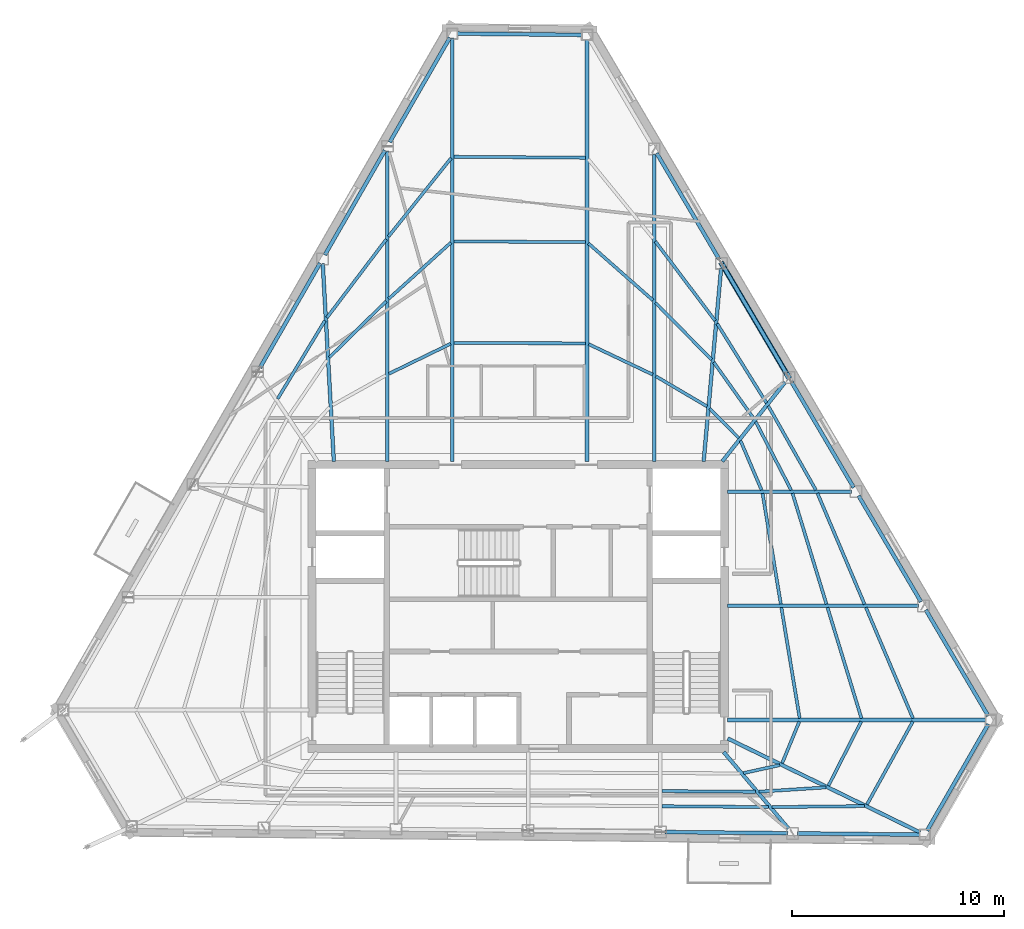
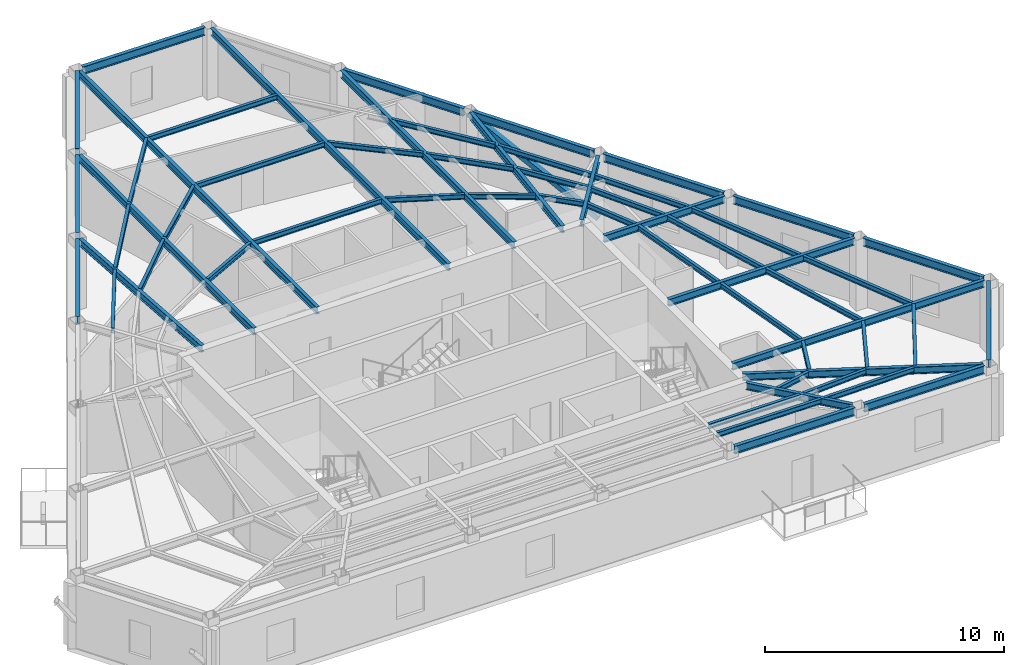
# One storey, part 2 of 11: 58 beams, 1 member.
"""IFC4 building model written with IfcOpenShell, lengths in metres."""

from ifc_helpers import new_model, si_unit, direction, frame, origin, origin_2d, place, context, subcontext, project, spatial, hollow_rectangle, i_section, extrude, material, material_profile, profile_set, type_object, element, save


model = new_model("IFC4")

# Units and contexts
model_context = context("Model", 3, precision=1e-05, world=origin(), true_north=direction((0.0, 1.0)))
body_context = subcontext(model_context, "Body", "Model", "MODEL_VIEW")
ifc_project = project(units=[si_unit("LENGTHUNIT", "METRE"), si_unit("AREAUNIT", "SQUARE_METRE"), si_unit("VOLUMEUNIT", "CUBIC_METRE"), si_unit("PLANEANGLEUNIT", "RADIAN"), si_unit("MASSUNIT", "GRAM", prefix="KILO")], contexts=[model_context])

# Site, building, storey
site_placement = place(None, origin())
site = spatial("IfcSite", under=ifc_project, at=site_placement, CompositionType="ELEMENT")
building_placement = place(site_placement, origin())
building = spatial("IfcBuilding", under=site, at=building_placement, Name="Kavelnor Concourse Tower", CompositionType="ELEMENT")
storey_placement = place(building_placement, frame((0.0, 0.0, 262.60009765625)))
storey = spatial("IfcBuildingStorey", under=building, at=storey_placement, Name="L66", CompositionType="ELEMENT", Elevation=262.60009765625)

# Beams
ifc_material = material(Name="Steel Grade 350", Category="steel")
ifc_material_profile_1 = material_profile(ifc_material, i_section(OverallWidth=0.14599609375, OverallDepth=0.256103515625, WebThickness=0.00634765625, FlangeThickness=0.010986328125, at=origin_2d()), Name="250UB37")
ifc_profile_set_1 = profile_set([ifc_material_profile_1], Name="Steel Grade 350")
beam_type_1 = type_object("IfcBeamType", Name="BM-JOIST-250", PredefinedType="JOIST", material=ifc_profile_set_1)
beam_1_placement = place(storey_placement, frame((44.77392578125, 7.41162109375, 3.48193359375), z_axis=(0.999973252056, -0.007314039412, 0.0), x_axis=(0.007314039412, 0.999973252056, 0.0)))
element("IfcBeam", 1, at=beam_1_placement, inside=storey, type_object=beam_type_1, Name="L66 Secondary Composite Joist 06-2", PredefinedType="JOIST", context=body_context, shape_type="SweptSolid", body=[
    extrude(i_section(OverallWidth=0.14599609375, OverallDepth=0.256103515625, WebThickness=0.00634765625, FlangeThickness=0.010986328125, at=origin_2d()), origin(), (0.0, 0.0, 1.0), 4.406005859375),
])
beam_2_placement = place(storey_placement, frame((44.77392578125, 6.70068359375, 3.48193359375), z_axis=(0.999966562096, -0.00817769471, 0.0), x_axis=(0.00817769471, 0.999966562096, 0.0)))
element("IfcBeam", 2, at=beam_2_placement, inside=storey, type_object=beam_type_1, Name="L66 Secondary Composite Joist 06-3", PredefinedType="JOIST", context=body_context, shape_type="SweptSolid", body=[
    extrude(i_section(OverallWidth=0.14599609375, OverallDepth=0.256103515625, WebThickness=0.00634765625, FlangeThickness=0.010986328125, at=origin_2d()), origin(), (0.0, 0.0, 1.0), 5.015625),
])
beam_3_placement = place(storey_placement, frame((48.61083984375, 8.26025390625, 3.48193359375), z_axis=(0.976738641907, 0.214433265621, 0.0), x_axis=(-0.214433265621, 0.976738641907, 0.0)))
element("IfcBeam", 3, at=beam_3_placement, inside=storey, type_object=beam_type_1, Name="L66 Secondary Composite Joist 07-1", PredefinedType="JOIST", context=body_context, shape_type="SweptSolid", body=[
    extrude(i_section(OverallWidth=0.14599609375, OverallDepth=0.256103515625, WebThickness=0.00634765625, FlangeThickness=0.010986328125, at=origin_2d()), origin(), (0.0, 0.0, 1.0), 1.75),
])
beam_4_placement = place(storey_placement, frame((49.34375, 7.384033203125, 3.48193359375), z_axis=(0.997954716893, 0.063924823277, 0.0), x_axis=(-0.063924823277, 0.997954716893, 0.0)))
element("IfcBeam", 4, at=beam_4_placement, inside=storey, type_object=beam_type_1, Name="L66 Secondary Composite Joist 07-2", PredefinedType="JOIST", context=body_context, shape_type="SweptSolid", body=[
    extrude(i_section(OverallWidth=0.14599609375, OverallDepth=0.256103515625, WebThickness=0.00634765625, FlangeThickness=0.010986328125, at=origin_2d()), origin(), (0.0, 0.0, 1.0), 3.154541015625),
])
beam_5_placement = place(storey_placement, frame((49.953369140625, 6.659912109375, 3.48193359375), z_axis=(0.999946678574, 0.010326664919, 0.0), x_axis=(-0.010326664919, 0.999946678574, 0.0)))
element("IfcBeam", 5, at=beam_5_placement, inside=storey, type_object=beam_type_1, Name="L66 Secondary Composite Joist 07-3", PredefinedType="JOIST", context=body_context, shape_type="SweptSolid", body=[
    extrude(i_section(OverallWidth=0.14599609375, OverallDepth=0.256103515625, WebThickness=0.00634765625, FlangeThickness=0.010986328125, at=origin_2d()), origin(), (0.0, 0.0, 1.0), 4.35009765625),
])
beam_6_placement = place(storey_placement, frame((50.431396484375, 8.728759765625, 3.48193359375), z_axis=(0.380958694144, 0.924592057805, 0.0), x_axis=(-0.924592057805, 0.380958694144, 0.0)))
element("IfcBeam", 6, at=beam_6_placement, inside=storey, type_object=beam_type_1, Name="L66 Secondary Composite Joist 08-1", PredefinedType="JOIST", context=body_context, shape_type="SweptSolid", body=[
    extrude(i_section(OverallWidth=0.14599609375, OverallDepth=0.256103515625, WebThickness=0.00634765625, FlangeThickness=0.010986328125, at=origin_2d()), origin(), (0.0, 0.0, 1.0), 2.1162109375),
])
beam_7_placement = place(storey_placement, frame((52.611083984375, 7.663818359375, 3.48193359375), z_axis=(0.454362037315, 0.890817118744, 0.0), x_axis=(-0.890817118744, 0.454362037315, 0.0)))
element("IfcBeam", 7, at=beam_7_placement, inside=storey, type_object=beam_type_1, Name="L66 Secondary Composite Joist 08-2", PredefinedType="JOIST", context=body_context, shape_type="SweptSolid", body=[
    extrude(i_section(OverallWidth=0.14599609375, OverallDepth=0.256103515625, WebThickness=0.00634765625, FlangeThickness=0.010986328125, at=origin_2d()), origin(), (0.0, 0.0, 1.0), 3.394775390625),
])
beam_8_placement = place(storey_placement, frame((54.4248046875, 6.77734375, 3.48193359375), z_axis=(0.48361012515, 0.875283523695, 0.0), x_axis=(-0.875283523695, 0.48361012515, 0.0)))
element("IfcBeam", 8, at=beam_8_placement, inside=storey, type_object=beam_type_1, Name="L66 Secondary Composite Joist 08-3", PredefinedType="JOIST", context=body_context, shape_type="SweptSolid", body=[
    extrude(i_section(OverallWidth=0.14599609375, OverallDepth=0.256103515625, WebThickness=0.00634765625, FlangeThickness=0.010986328125, at=origin_2d()), origin(), (0.0, 0.0, 1.0), 4.46923828125),
])
beam_9_placement = place(storey_placement, frame((51.255615234375, 10.841796875, 3.48193359375), z_axis=(-0.162803952091, 0.986658437953, 0.0), x_axis=(-0.986658437953, -0.162803952091, 0.0)))
element("IfcBeam", 9, at=beam_9_placement, inside=storey, type_object=beam_type_1, Name="L66 Secondary Composite Joist 09-1", PredefinedType="JOIST", context=body_context, shape_type="SweptSolid", body=[
    extrude(i_section(OverallWidth=0.14599609375, OverallDepth=0.256103515625, WebThickness=0.00634765625, FlangeThickness=0.010986328125, at=origin_2d()), origin(), (0.0, 0.0, 1.0), 5.28759765625),
])
beam_10_placement = place(storey_placement, frame((54.166748046875, 10.83935546875, 3.48193359375), z_axis=(-0.292973669642, 0.95612050961, 0.0), x_axis=(-0.95612050961, -0.292973669642, 0.0)))
element("IfcBeam", 10, at=beam_10_placement, inside=storey, type_object=beam_type_1, Name="L66 Secondary Composite Joist 09-2", PredefinedType="JOIST", context=body_context, shape_type="SweptSolid", body=[
    extrude(i_section(OverallWidth=0.14599609375, OverallDepth=0.256103515625, WebThickness=0.00634765625, FlangeThickness=0.010986328125, at=origin_2d()), origin(), (0.0, 0.0, 1.0), 5.461669921875),
])
beam_11_placement = place(storey_placement, frame((56.59375, 10.83642578125, 3.48193359375), z_axis=(-0.390611672, 0.920555550577, 0.0), x_axis=(-0.920555550577, -0.390611672, 0.0)))
element("IfcBeam", 11, at=beam_11_placement, inside=storey, type_object=beam_type_1, Name="L66 Secondary Composite Joist 09-3", PredefinedType="JOIST", context=body_context, shape_type="SweptSolid", body=[
    extrude(i_section(OverallWidth=0.14599609375, OverallDepth=0.256103515625, WebThickness=0.00634765625, FlangeThickness=0.010986328125, at=origin_2d()), origin(), (0.0, 0.0, 1.0), 5.678955078125),
])
beam_12_placement = place(storey_placement, frame((50.3681640625, 16.220703125, 3.48193359375), z_axis=(-0.162803952091, 0.986658437953, 0.0), x_axis=(-0.986658437953, -0.162803952091, 0.0)))
element("IfcBeam", 12, at=beam_12_placement, inside=storey, type_object=beam_type_1, Name="L66 Secondary Composite Joist 10-1", PredefinedType="JOIST", context=body_context, shape_type="SweptSolid", body=[
    extrude(i_section(OverallWidth=0.14599609375, OverallDepth=0.256103515625, WebThickness=0.00634765625, FlangeThickness=0.010986328125, at=origin_2d()), origin(), (0.0, 0.0, 1.0), 5.28759765625),
])
beam_13_placement = place(storey_placement, frame((52.5185546875, 16.21826171875, 3.48193359375), z_axis=(-0.292973669642, 0.95612050961, 0.0), x_axis=(-0.95612050961, -0.292973669642, 0.0)))
element("IfcBeam", 13, at=beam_13_placement, inside=storey, type_object=beam_type_1, Name="L66 Secondary Composite Joist 10-2", PredefinedType="JOIST", context=body_context, shape_type="SweptSolid", body=[
    extrude(i_section(OverallWidth=0.14599609375, OverallDepth=0.256103515625, WebThickness=0.00634765625, FlangeThickness=0.010986328125, at=origin_2d()), origin(), (0.0, 0.0, 1.0), 5.461669921875),
])
beam_14_placement = place(storey_placement, frame((54.3115234375, 16.21533203125, 3.48193359375), z_axis=(-0.390575239966, 0.920571008628, 0.0), x_axis=(-0.920571008628, -0.390575239966, 0.0)))
element("IfcBeam", 14, at=beam_14_placement, inside=storey, type_object=beam_type_1, Name="L66 Secondary Composite Joist 10-3", PredefinedType="JOIST", context=body_context, shape_type="SweptSolid", body=[
    extrude(i_section(OverallWidth=0.14599609375, OverallDepth=0.256103515625, WebThickness=0.00634765625, FlangeThickness=0.010986328125, at=origin_2d()), origin(), (0.0, 0.0, 1.0), 5.678955078125),
])
beam_15_placement = place(storey_placement, frame((49.461669921875, 21.593994140625, 3.48193359375), z_axis=(-0.392856575685, 0.91959975584, 0.0), x_axis=(-0.91959975584, -0.392856575685, 0.0)))
element("IfcBeam", 15, at=beam_15_placement, inside=storey, type_object=beam_type_1, Name="L66 Secondary Composite Joist 11-1", PredefinedType="JOIST", context=body_context, shape_type="SweptSolid", body=[
    extrude(i_section(OverallWidth=0.14599609375, OverallDepth=0.256103515625, WebThickness=0.00634765625, FlangeThickness=0.010986328125, at=origin_2d()), origin(), (0.0, 0.0, 1.0), 2.523681640625),
])
beam_16_placement = place(storey_placement, frame((50.856689453125, 21.59130859375, 3.48193359375), z_axis=(-0.460971243071, 0.887415073718, 0.0), x_axis=(-0.887415073718, -0.460971243071, 0.0)))
element("IfcBeam", 16, at=beam_16_placement, inside=storey, type_object=beam_type_1, Name="L66 Secondary Composite Joist 11-2", PredefinedType="JOIST", context=body_context, shape_type="SweptSolid", body=[
    extrude(i_section(OverallWidth=0.14599609375, OverallDepth=0.256103515625, WebThickness=0.00634765625, FlangeThickness=0.010986328125, at=origin_2d()), origin(), (0.0, 0.0, 1.0), 3.62744140625),
])
beam_17_placement = place(storey_placement, frame((52.02099609375, 21.590087890625, 3.48193359375), z_axis=(-0.492348574439, 0.870398116523, 0.0), x_axis=(-0.870398116523, -0.492348574439, 0.0)))
element("IfcBeam", 17, at=beam_17_placement, inside=storey, type_object=beam_type_1, Name="L66 Secondary Composite Joist 11-3", PredefinedType="JOIST", context=body_context, shape_type="SweptSolid", body=[
    extrude(i_section(OverallWidth=0.14599609375, OverallDepth=0.256103515625, WebThickness=0.00634765625, FlangeThickness=0.010986328125, at=origin_2d()), origin(), (0.0, 0.0, 1.0), 4.55615234375),
])
beam_18_placement = place(storey_placement, frame((48.380615234375, 24.048828125, 3.48193359375), z_axis=(-0.700664580622, 0.713490816663, 0.0), x_axis=(-0.713490816663, -0.700664580622, 0.0)))
element("IfcBeam", 18, at=beam_18_placement, inside=storey, type_object=beam_type_1, Name="L66 Secondary Composite Joist 12-1", PredefinedType="JOIST", context=body_context, shape_type="SweptSolid", body=[
    extrude(i_section(OverallWidth=0.14599609375, OverallDepth=0.256103515625, WebThickness=0.00634765625, FlangeThickness=0.010986328125, at=origin_2d()), origin(), (0.0, 0.0, 1.0), 1.94140625),
])
beam_19_placement = place(storey_placement, frame((49.099365234375, 24.949951171875, 3.48193359375), z_axis=(-0.578916950149, 0.815386512539, 0.0), x_axis=(-0.815386512539, -0.578916950149, 0.0)))
element("IfcBeam", 19, at=beam_19_placement, inside=storey, type_object=beam_type_1, Name="L66 Secondary Composite Joist 12-2", PredefinedType="JOIST", context=body_context, shape_type="SweptSolid", body=[
    extrude(i_section(OverallWidth=0.14599609375, OverallDepth=0.256103515625, WebThickness=0.00634765625, FlangeThickness=0.010986328125, at=origin_2d()), origin(), (0.0, 0.0, 1.0), 3.2666015625),
])
beam_20_placement = place(storey_placement, frame((49.694091796875, 25.69677734375, 3.48193359375), z_axis=(-0.528262789174, 0.849080929932, 0.0), x_axis=(-0.849080929932, -0.528262789174, 0.0)))
element("IfcBeam", 20, at=beam_20_placement, inside=storey, type_object=beam_type_1, Name="L66 Secondary Composite Joist 12-3", PredefinedType="JOIST", context=body_context, shape_type="SweptSolid", body=[
    extrude(i_section(OverallWidth=0.14599609375, OverallDepth=0.256103515625, WebThickness=0.00634765625, FlangeThickness=0.010986328125, at=origin_2d()), origin(), (0.0, 0.0, 1.0), 4.401611328125),
])
beam_21_placement = place(storey_placement, frame((46.89208984375, 25.5341796875, 3.48193359375), z_axis=(-0.861562272913, 0.507651898345, 0.0), x_axis=(-0.507651898345, -0.861562272913, 0.0)))
element("IfcBeam", 21, at=beam_21_placement, inside=storey, type_object=beam_type_1, Name="L66 Secondary Composite Joist 13-1", PredefinedType="JOIST", context=body_context, shape_type="SweptSolid", body=[
    extrude(i_section(OverallWidth=0.14599609375, OverallDepth=0.256103515625, WebThickness=0.00634765625, FlangeThickness=0.010986328125, at=origin_2d()), origin(), (0.0, 0.0, 1.0), 2.802734375),
])
beam_22_placement = place(storey_placement, frame((47.103271484375, 27.73876953125, 3.48193359375), z_axis=(-0.701633659386, 0.712537864268, 0.0), x_axis=(-0.712537864268, -0.701633659386, 0.0)))
element("IfcBeam", 22, at=beam_22_placement, inside=storey, type_object=beam_type_1, Name="L66 Secondary Composite Joist 13-2", PredefinedType="JOIST", context=body_context, shape_type="SweptSolid", body=[
    extrude(i_section(OverallWidth=0.14599609375, OverallDepth=0.256103515625, WebThickness=0.00634765625, FlangeThickness=0.010986328125, at=origin_2d()), origin(), (0.0, 0.0, 1.0), 3.761474609375),
])
beam_23_placement = place(storey_placement, frame((47.276123046875, 29.569091796875, 3.48193359375), z_axis=(-0.601882507948, 0.798584652135, 0.0), x_axis=(-0.798584652135, -0.601882507948, 0.0)))
element("IfcBeam", 23, at=beam_23_placement, inside=storey, type_object=beam_type_1, Name="L66 Secondary Composite Joist 13-3", PredefinedType="JOIST", context=body_context, shape_type="SweptSolid", body=[
    extrude(i_section(OverallWidth=0.14599609375, OverallDepth=0.256103515625, WebThickness=0.00634765625, FlangeThickness=0.010986328125, at=origin_2d()), origin(), (0.0, 0.0, 1.0), 4.685302734375),
])
beam_24_placement = place(storey_placement, frame((44.33251953125, 27.03369140625, 3.48193359375), z_axis=(-0.903209610915, 0.429199718955, 0.0), x_axis=(-0.429199718955, -0.903209610915, 0.0)))
element("IfcBeam", 24, at=beam_24_placement, inside=storey, type_object=beam_type_1, Name="L66 Secondary Composite Joist 14-1", PredefinedType="JOIST", context=body_context, shape_type="SweptSolid", body=[
    extrude(i_section(OverallWidth=0.14599609375, OverallDepth=0.256103515625, WebThickness=0.00634765625, FlangeThickness=0.010986328125, at=origin_2d()), origin(), (0.0, 0.0, 1.0), 3.34521484375),
])
beam_25_placement = place(storey_placement, frame((44.34521484375, 30.53173828125, 3.48193359375), z_axis=(-0.749804538632, 0.661659394135, 0.0), x_axis=(-0.661659394135, -0.749804538632, 0.0)))
element("IfcBeam", 25, at=beam_25_placement, inside=storey, type_object=beam_type_1, Name="L66 Secondary Composite Joist 14-2", PredefinedType="JOIST", context=body_context, shape_type="SweptSolid", body=[
    extrude(i_section(OverallWidth=0.14599609375, OverallDepth=0.256103515625, WebThickness=0.00634765625, FlangeThickness=0.010986328125, at=origin_2d()), origin(), (0.0, 0.0, 1.0), 4.063232421875),
])
for number, where, z_axis, x_axis, name in (
    (26, (41.155029296875, 28.5048828125, 3.48193359375), (-0.999995735324, 0.002920502187, 0.0), (-0.002920502187, -0.999995735324, 0.0), "L66 Secondary Composite Joist 15-1"),
    (27, (41.155029296875, 33.27490234375, 3.48193359375), (-0.999985383044, 0.005406819697, 0.0), (-0.005406819697, -0.999985383044, 0.0), "L66 Secondary Composite Joist 15-2"),
):
    element("IfcBeam", number, at=place(storey_placement, frame(where, z_axis=z_axis, x_axis=x_axis)), inside=storey, type_object=beam_type_1, Name=name, PredefinedType="JOIST", context=body_context, shape_type="SweptSolid", body=[
        extrude(i_section(OverallWidth=0.14599609375, OverallDepth=0.256103515625, WebThickness=0.00634765625, FlangeThickness=0.010986328125, at=origin_2d()), origin(), (0.0, 0.0, 1.0), 6.18603515625),
    ])
beam_26_placement = place(storey_placement, frame((41.155029296875, 37.249755859375, 3.48193359375), z_axis=(-0.999972181685, 0.00745894476, 0.0), x_axis=(-0.00745894476, -0.999972181685, 0.0)))
element("IfcBeam", 28, at=beam_26_placement, inside=storey, type_object=beam_type_1, Name="L66 Secondary Composite Joist 15-3", PredefinedType="JOIST", context=body_context, shape_type="SweptSolid", body=[
    extrude(i_section(OverallWidth=0.14599609375, OverallDepth=0.256103515625, WebThickness=0.00634765625, FlangeThickness=0.010986328125, at=origin_2d()), origin(), (0.0, 0.0, 1.0), 6.186279296875),
])
beam_27_placement = place(storey_placement, frame((34.8134765625, 28.4873046875, 3.48193359375), z_axis=(-0.899205396102, -0.437526748464, 0.0), x_axis=(0.437526748464, -0.899205396102, 0.0)))
element("IfcBeam", 29, at=beam_27_placement, inside=storey, type_object=beam_type_1, Name="L66 Secondary Composite Joist 16-1", PredefinedType="JOIST", context=body_context, shape_type="SweptSolid", body=[
    extrude(i_section(OverallWidth=0.14599609375, OverallDepth=0.256103515625, WebThickness=0.00634765625, FlangeThickness=0.010986328125, at=origin_2d()), origin(), (0.0, 0.0, 1.0), 3.234619140625),
])
beam_28_placement = place(storey_placement, frame((34.826416015625, 33.253662109375, 3.48193359375), z_axis=(-0.741914421276, -0.670494587229, 0.0), x_axis=(0.670494587229, -0.741914421276, 0.0)))
element("IfcBeam", 30, at=beam_28_placement, inside=storey, type_object=beam_type_1, Name="L66 Secondary Composite Joist 16-2", PredefinedType="JOIST", context=body_context, shape_type="SweptSolid", body=[
    extrude(i_section(OverallWidth=0.14599609375, OverallDepth=0.256103515625, WebThickness=0.00634765625, FlangeThickness=0.010986328125, at=origin_2d()), origin(), (0.0, 0.0, 1.0), 3.955078125),
])
beam_29_placement = place(storey_placement, frame((34.8359375, 37.232666015625, 3.48193359375), z_axis=(-0.624279626931, -0.781200964796, 0.0), x_axis=(0.781200964796, -0.624279626931, 0.0)))
element("IfcBeam", 31, at=beam_29_placement, inside=storey, type_object=beam_type_1, Name="L66 Secondary Composite Joist 16-3", PredefinedType="JOIST", context=body_context, shape_type="SweptSolid", body=[
    extrude(i_section(OverallWidth=0.14599609375, OverallDepth=0.256103515625, WebThickness=0.00634765625, FlangeThickness=0.010986328125, at=origin_2d()), origin(), (0.0, 0.0, 1.0), 4.731201171875),
])
beam_30_placement = place(storey_placement, frame((31.77294921875, 30.4892578125, 3.48193359375), z_axis=(-0.711052488696, -0.703138932445, 0.0), x_axis=(0.703138932445, -0.711052488696, 0.0)))
element("IfcBeam", 32, at=beam_30_placement, inside=storey, type_object=beam_type_1, Name="L66 Secondary Composite Joist 17-2", PredefinedType="JOIST", context=body_context, shape_type="SweptSolid", body=[
    extrude(i_section(OverallWidth=0.14599609375, OverallDepth=0.256103515625, WebThickness=0.00634765625, FlangeThickness=0.010986328125, at=origin_2d()), origin(), (0.0, 0.0, 1.0), 3.763916015625),
])
beam_31_placement = place(storey_placement, frame((31.78173828125, 33.4072265625, 3.48193359375), z_axis=(-0.603904349536, -0.797056796352, 0.0), x_axis=(0.797056796352, -0.603904349536, 0.0)))
element("IfcBeam", 33, at=beam_31_placement, inside=storey, type_object=beam_type_1, Name="L66 Secondary Composite Joist 17-3", PredefinedType="JOIST", context=body_context, shape_type="SweptSolid", body=[
    extrude(i_section(OverallWidth=0.14599609375, OverallDepth=0.256103515625, WebThickness=0.00634765625, FlangeThickness=0.010986328125, at=origin_2d()), origin(), (0.0, 0.0, 1.0), 4.6337890625),
])
beam_32_placement = place(storey_placement, frame((28.8916015625, 29.578125, 3.48193359375), z_axis=(-0.51745118581, -0.855712726506, 0.0), x_axis=(0.855712726506, -0.51745118581, 0.0)))
element("IfcBeam", 34, at=beam_32_placement, inside=storey, type_object=beam_type_1, Name="L66 Secondary Composite Joist 18-3", PredefinedType="JOIST", context=body_context, shape_type="SweptSolid", body=[
    extrude(i_section(OverallWidth=0.14599609375, OverallDepth=0.256103515625, WebThickness=0.00634765625, FlangeThickness=0.010986328125, at=origin_2d()), origin(), (0.0, 0.0, 1.0), 4.30810546875),
])
ifc_material_profile_2 = material_profile(ifc_material, i_section(OverallWidth=0.172119140625, OverallDepth=0.35888671875, WebThickness=0.008056640625, FlangeThickness=0.012939453125, at=origin_2d()), Name="360UB56")
ifc_profile_set_2 = profile_set([ifc_material_profile_2], Name="Steel Grade 350")
beam_type_2 = type_object("IfcBeamType", Name="BM-PRIMARY-360", PredefinedType="BEAM", material=ifc_profile_set_2)
beam_33_placement = place(storey_placement, frame((34.88720703125, 22.93994140625, 3.430419921875), z_axis=(0.0, 1.0, 0.0), x_axis=(-1.0, 0.0, 0.0)))
element("IfcBeam", 35, at=beam_33_placement, inside=storey, type_object=beam_type_2, Name="L66 Primary Floor Girder F0-B0", PredefinedType="BEAM", context=body_context, shape_type="SweptSolid", body=[
    extrude(i_section(OverallWidth=0.172119140625, OverallDepth=0.35888671875, WebThickness=0.008056640625, FlangeThickness=0.012939453125, at=origin_2d()), origin(), (0.0, 0.0, 1.0), 19.93994140625),
])
beam_34_placement = place(storey_placement, frame((31.831298828125, 22.93994140625, 3.430419921875), z_axis=(0.0, 1.0, 0.0), x_axis=(-1.0, 0.0, 0.0)))
element("IfcBeam", 36, at=beam_34_placement, inside=storey, type_object=beam_type_2, Name="L66 Primary Floor Girder F0-B1", PredefinedType="BEAM", context=body_context, shape_type="SweptSolid", body=[
    extrude(i_section(OverallWidth=0.172119140625, OverallDepth=0.35888671875, WebThickness=0.008056640625, FlangeThickness=0.012939453125, at=origin_2d()), origin(), (0.0, 0.0, 1.0), 14.628662109375),
])
beam_35_placement = place(storey_placement, frame((29.310302734375, 22.940185546875, 3.430419921875), z_axis=(-0.056014844429, 0.998429936051, 0.0), x_axis=(-0.998429936051, -0.056014844429, 0.0)))
element("IfcBeam", 37, at=beam_35_placement, inside=storey, type_object=beam_type_2, Name="L66 Primary Floor Girder F0-B2", PredefinedType="BEAM", context=body_context, shape_type="SweptSolid", body=[
    extrude(i_section(OverallWidth=0.172119140625, OverallDepth=0.35888671875, WebThickness=0.008056640625, FlangeThickness=0.012939453125, at=origin_2d()), origin(), (0.0, 0.0, 1.0), 9.33154296875),
])
beam_36_placement = place(storey_placement, frame((47.677490234375, 9.25048828125, 3.430419921875), z_axis=(0.646097718538, -0.763254700673, 0.0), x_axis=(0.763254700673, 0.646097718538, 0.0)))
element("IfcBeam", 38, at=beam_36_placement, inside=storey, type_object=beam_type_2, Name="L66 Primary Floor Girder F1-B5", PredefinedType="BEAM", context=body_context, shape_type="SweptSolid", body=[
    extrude(i_section(OverallWidth=0.172119140625, OverallDepth=0.35888671875, WebThickness=0.008056640625, FlangeThickness=0.012939453125, at=origin_2d()), origin(), (0.0, 0.0, 1.0), 4.7158203125),
])
beam_37_placement = place(storey_placement, frame((47.864013671875, 9.89208984375, 3.430419921875), z_axis=(0.898477992604, -0.439018560891, 0.0), x_axis=(0.439018560891, 0.898477992604, 0.0)))
element("IfcBeam", 39, at=beam_37_placement, inside=storey, type_object=beam_type_2, Name="L66 Primary Floor Girder F1-B6", PredefinedType="BEAM", context=body_context, shape_type="SweptSolid", body=[
    extrude(i_section(OverallWidth=0.172119140625, OverallDepth=0.35888671875, WebThickness=0.008056640625, FlangeThickness=0.012939453125, at=origin_2d()), origin(), (0.0, 0.0, 1.0), 10.08056640625),
])
beam_38_placement = place(storey_placement, frame((47.860107421875, 10.760986328125, 3.430419921875), z_axis=(1.0, 0.0, 0.0), x_axis=(0.0, 1.0, 0.0)))
element("IfcBeam", 40, at=beam_38_placement, inside=storey, type_object=beam_type_2, Name="L66 Primary Floor Girder F2-B0", PredefinedType="BEAM", context=body_context, shape_type="SweptSolid", body=[
    extrude(i_section(OverallWidth=0.172119140625, OverallDepth=0.35888671875, WebThickness=0.008056640625, FlangeThickness=0.012939453125, at=origin_2d()), origin(), (0.0, 0.0, 1.0), 12.174560546875),
])
beam_39_placement = place(storey_placement, frame((47.860107421875, 16.139892578125, 3.430419921875), z_axis=(1.0, 0.0, 0.0), x_axis=(0.0, 1.0, 0.0)))
element("IfcBeam", 41, at=beam_39_placement, inside=storey, type_object=beam_type_2, Name="L66 Primary Floor Girder F2-B1", PredefinedType="BEAM", context=body_context, shape_type="SweptSolid", body=[
    extrude(i_section(OverallWidth=0.172119140625, OverallDepth=0.35888671875, WebThickness=0.008056640625, FlangeThickness=0.012939453125, at=origin_2d()), origin(), (0.0, 0.0, 1.0), 9.0048828125),
])
beam_40_placement = place(storey_placement, frame((47.860107421875, 21.5185546875, 3.430419921875), z_axis=(1.0, 0.0, 0.0), x_axis=(0.0, 1.0, 0.0)))
element("IfcBeam", 42, at=beam_40_placement, inside=storey, type_object=beam_type_2, Name="L66 Primary Floor Girder F2-B2", PredefinedType="BEAM", context=body_context, shape_type="SweptSolid", body=[
    extrude(i_section(OverallWidth=0.172119140625, OverallDepth=0.35888671875, WebThickness=0.008056640625, FlangeThickness=0.012939453125, at=origin_2d()), origin(), (0.0, 0.0, 1.0), 5.835205078125),
])
beam_41_placement = place(storey_placement, frame((47.611083984375, 22.94873046875, 3.430419921875), z_axis=(0.621756971433, 0.783210232616, 0.0), x_axis=(-0.783210232616, 0.621756971433, 0.0)))
element("IfcBeam", 43, at=beam_41_placement, inside=storey, type_object=beam_type_2, Name="L66 Primary Floor Girder F2-B3", PredefinedType="BEAM", context=body_context, shape_type="SweptSolid", body=[
    extrude(i_section(OverallWidth=0.172119140625, OverallDepth=0.35888671875, WebThickness=0.008056640625, FlangeThickness=0.012939453125, at=origin_2d()), origin(), (0.0, 0.0, 1.0), 4.749755859375),
])
beam_42_placement = place(storey_placement, frame((46.732177734375, 22.940185546875, 3.430419921875), z_axis=(0.090049926725, 0.995937252389, 0.0), x_axis=(-0.995937252389, 0.090049926725, 0.0)))
element("IfcBeam", 44, at=beam_42_placement, inside=storey, type_object=beam_type_2, Name="L66 Primary Floor Girder F2-B4", PredefinedType="BEAM", context=body_context, shape_type="SweptSolid", body=[
    extrude(i_section(OverallWidth=0.172119140625, OverallDepth=0.35888671875, WebThickness=0.008056640625, FlangeThickness=0.012939453125, at=origin_2d()), origin(), (0.0, 0.0, 1.0), 9.15283203125),
])
beam_43_placement = place(storey_placement, frame((44.406494140625, 22.93994140625, 3.430419921875), z_axis=(0.0, 1.0, 0.0), x_axis=(-1.0, 0.0, 0.0)))
element("IfcBeam", 45, at=beam_43_placement, inside=storey, type_object=beam_type_2, Name="L66 Primary Floor Girder F2-B5", PredefinedType="BEAM", context=body_context, shape_type="SweptSolid", body=[
    extrude(i_section(OverallWidth=0.172119140625, OverallDepth=0.35888671875, WebThickness=0.008056640625, FlangeThickness=0.012939453125, at=origin_2d()), origin(), (0.0, 0.0, 1.0), 14.4951171875),
])
beam_44_placement = place(storey_placement, frame((41.237060546875, 22.93994140625, 3.430419921875), z_axis=(0.0, 1.0, 0.0), x_axis=(-1.0, 0.0, 0.0)))
element("IfcBeam", 46, at=beam_44_placement, inside=storey, type_object=beam_type_2, Name="L66 Primary Floor Girder F2-B6", PredefinedType="BEAM", context=body_context, shape_type="SweptSolid", body=[
    extrude(i_section(OverallWidth=0.172119140625, OverallDepth=0.35888671875, WebThickness=0.008056640625, FlangeThickness=0.012939453125, at=origin_2d()), origin(), (0.0, 0.0, 1.0), 19.873779296875),
])
ifc_material_profile_3 = material_profile(ifc_material, i_section(OverallWidth=0.177978515625, OverallDepth=0.406005859375, WebThickness=0.0078125, FlangeThickness=0.0126953125, at=origin_2d()), Name="410UB59")
ifc_profile_set_3 = profile_set([ifc_material_profile_3], Name="Steel Grade 350")
beam_type_3 = type_object("IfcBeamType", Name="BM-SPANDREL-Z4", PredefinedType="SPANDREL", material=ifc_profile_set_3)
for number, where, z_axis, x_axis, name in (
    (47, (34.77490234375, 42.90478515625, 3.406982421875), (-0.498720745294, -0.866762723133, 0.0), (0.866762723133, -0.498720745294, 0.0), "L66 Perimeter Tube Spandrel Beam F0-B0"),
    (48, (31.718994140625, 37.593505859375, 3.406982421875), (-0.498720745294, -0.866762723133, 0.0), (0.866762723133, -0.498720745294, 0.0), "L66 Perimeter Tube Spandrel Beam F0-B1"),
    (49, (28.6630859375, 32.2822265625, 3.406982421875), (-0.498720745294, -0.866762723133, 0.0), (0.866762723133, -0.498720745294, 0.0), "L66 Perimeter Tube Spandrel Beam F0-B2"),
):
    element("IfcBeam", number, at=place(storey_placement, frame(where, z_axis=z_axis, x_axis=x_axis)), inside=storey, type_object=beam_type_3, Name=name, PredefinedType="SPANDREL", context=body_context, shape_type="SweptSolid", body=[
        extrude(i_section(OverallWidth=0.177978515625, OverallDepth=0.406005859375, WebThickness=0.0078125, FlangeThickness=0.0126953125, at=origin_2d()), origin(), (0.0, 0.0, 1.0), 5.677490234375),
    ])
beam_45_placement = place(storey_placement, frame((41.011962890625, 43.0361328125, 3.406982421875), z_axis=(-0.999946064741, 0.010385933222, 0.0), x_axis=(-0.010385933222, -0.999946064741, 0.0)))
element("IfcBeam", 50, at=beam_45_placement, inside=storey, type_object=beam_type_3, Name="L66 Chamfer Facet Spandrel Beam C0", PredefinedType="SPANDREL", context=body_context, shape_type="SweptSolid", body=[
    extrude(i_section(OverallWidth=0.177978515625, OverallDepth=0.406005859375, WebThickness=0.0078125, FlangeThickness=0.0126953125, at=origin_2d()), origin(), (0.0, 0.0, 1.0), 5.900146484375),
])
beam_46_placement = place(storey_placement, frame((44.9169921875, 5.484130859375, 3.406982421875), z_axis=(0.999945957078, -0.010396293709, 0.0), x_axis=(0.010396293709, 0.999945957078, 0.0)))
element("IfcBeam", 51, at=beam_46_placement, inside=storey, type_object=beam_type_3, Name="L66 Perimeter Tube Spandrel Beam F1-B4", PredefinedType="SPANDREL", context=body_context, shape_type="SweptSolid", body=[
    extrude(i_section(OverallWidth=0.177978515625, OverallDepth=0.406005859375, WebThickness=0.0078125, FlangeThickness=0.0126953125, at=origin_2d()), origin(), (0.0, 0.0, 1.0), 5.77685546875),
])
beam_47_placement = place(storey_placement, frame((51.1435546875, 5.41943359375, 3.406982421875), z_axis=(0.999945961646, -0.01039585439, 0.0), x_axis=(0.01039585439, 0.999945961646, 0.0)))
element("IfcBeam", 52, at=beam_47_placement, inside=storey, type_object=beam_type_3, Name="L66 Perimeter Tube Spandrel Beam F1-B5", PredefinedType="SPANDREL", context=body_context, shape_type="SweptSolid", body=[
    extrude(i_section(OverallWidth=0.177978515625, OverallDepth=0.406005859375, WebThickness=0.0078125, FlangeThickness=0.0126953125, at=origin_2d()), origin(), (0.0, 0.0, 1.0), 5.777099609375),
])
for number, where, z_axis, x_axis, name in (
    (53, (60.140380859375, 10.954833984375, 3.406982421875), (-0.507681136357, 0.861545044549, 0.0), (-0.861545044549, -0.507681136357, 0.0), "L66 Perimeter Tube Spandrel Beam F2-B0"),
    (54, (56.970703125, 16.33349609375, 3.406982421875), (-0.507681136357, 0.861545044549, 0.0), (-0.861545044549, -0.507681136357, 0.0), "L66 Perimeter Tube Spandrel Beam F2-B1"),
    (55, (53.80126953125, 21.71240234375, 3.406982421875), (-0.507681136357, 0.861545044549, 0.0), (-0.861545044549, -0.507681136357, 0.0), "L66 Perimeter Tube Spandrel Beam F2-B2"),
    (56, (50.631591796875, 27.09130859375, 3.406982421875), (-0.507681136357, 0.861545044549, 0.0), (-0.861545044549, -0.507681136357, 0.0), "L66 Perimeter Tube Spandrel Beam F2-B3"),
    (57, (47.4619140625, 32.469970703125, 3.406982421875), (-0.507681136357, 0.861545044549, 0.0), (-0.861545044549, -0.507681136357, 0.0), "L66 Perimeter Tube Spandrel Beam F2-B4"),
):
    element("IfcBeam", number, at=place(storey_placement, frame(where, z_axis=z_axis, x_axis=x_axis)), inside=storey, type_object=beam_type_3, Name=name, PredefinedType="SPANDREL", context=body_context, shape_type="SweptSolid", body=[
        extrude(i_section(OverallWidth=0.177978515625, OverallDepth=0.406005859375, WebThickness=0.0078125, FlangeThickness=0.0126953125, at=origin_2d()), origin(), (0.0, 0.0, 1.0), 5.793212890625),
    ])
beam_48_placement = place(storey_placement, frame((57.257568359375, 5.552001953125, 3.406982421875), z_axis=(0.498700273428, 0.86677450198, 0.0), x_axis=(-0.86677450198, 0.498700273428, 0.0)))
element("IfcBeam", 58, at=beam_48_placement, inside=storey, type_object=beam_type_3, Name="L66 Chamfer Facet Spandrel Beam C2", PredefinedType="SPANDREL", context=body_context, shape_type="SweptSolid", body=[
    extrude(i_section(OverallWidth=0.177978515625, OverallDepth=0.406005859375, WebThickness=0.0078125, FlangeThickness=0.0126953125, at=origin_2d()), origin(), (0.0, 0.0, 1.0), 5.78466796875),
])

# Member
ifc_material_profile_4 = material_profile(ifc_material, hollow_rectangle(XDim=0.25, YDim=0.25, WallThickness=0.01611328125, at=origin_2d()), Name="SHS 250x250x16")
ifc_profile_set_4 = profile_set([ifc_material_profile_4], Name="Steel Grade 350")
member_type = type_object("IfcMemberType", Name="MBR-TUBE-DIAG-Z4", PredefinedType="BRACE", material=ifc_profile_set_4)
member_placement = place(storey_placement, frame((50.745849609375, 26.8974609375, 0.219970703125), z_axis=(-0.452193651266, 0.767332537244, 0.454666558086), x_axis=(-0.861530825477, -0.507705265634, 0.0)))
element("IfcMember", 59, at=member_placement, inside=storey, type_object=member_type, Name="L66 Framed-Tube Bracing Diagonal F2-B3", PredefinedType="BRACE", context=body_context, shape_type="SweptSolid", body=[
    extrude(hollow_rectangle(XDim=0.25, YDim=0.25, WallThickness=0.01611328125, at=origin_2d()), origin(), (0.0, 0.0, 1.0), 7.009521484375),
])

save(model, "model.ifc")
